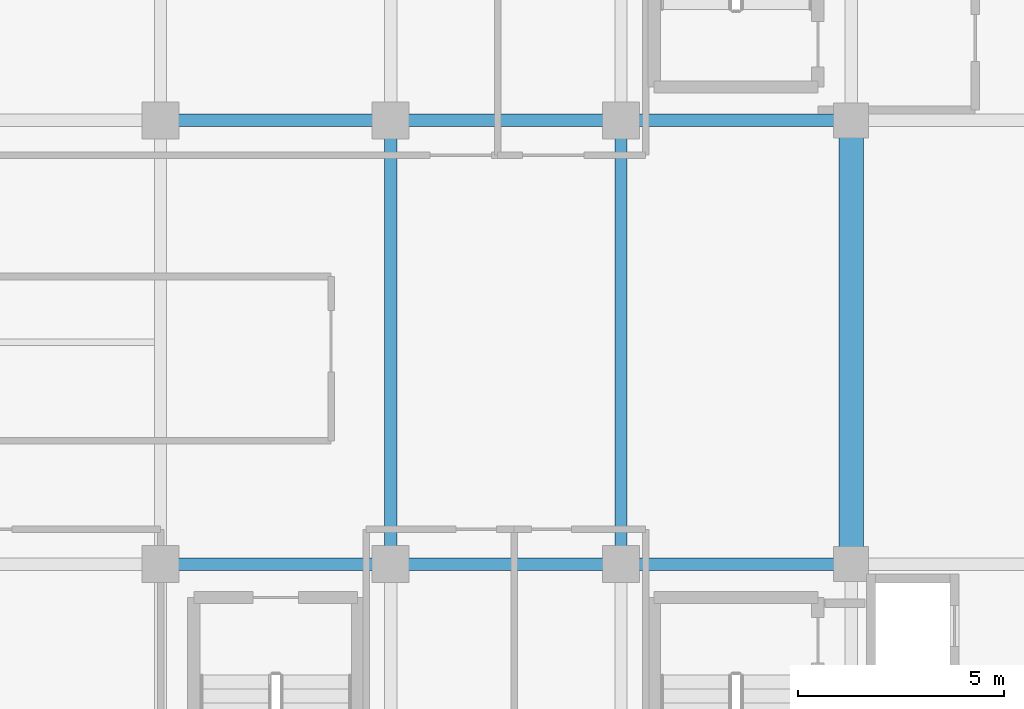
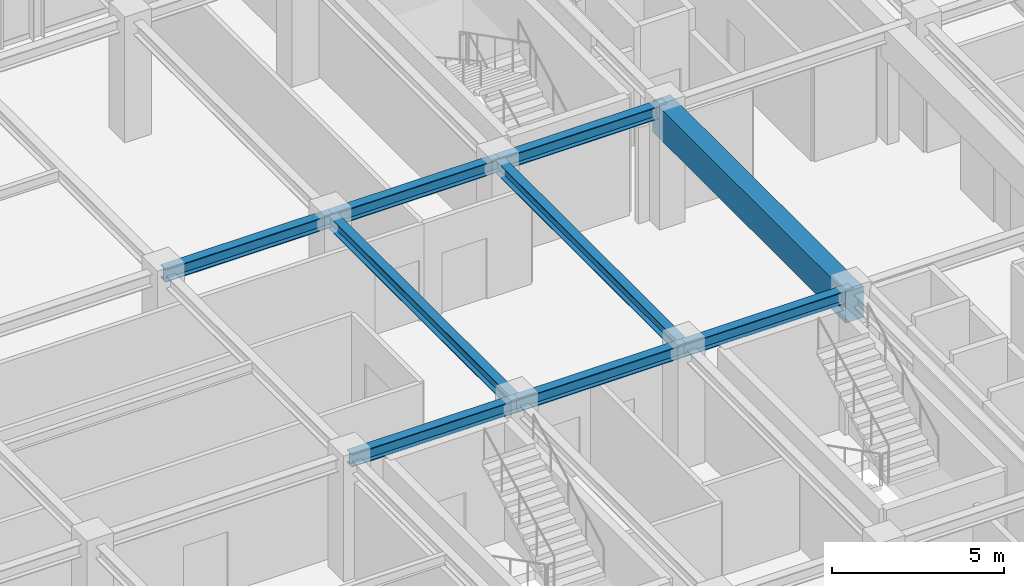
# One storey, part 9 of 26: 9 beams.
"""IFC4 building model written with IfcOpenShell, lengths in metres."""

from ifc_helpers import new_model, si_unit, direction, frame, origin, origin_2d, place, context, subcontext, project, spatial, rectangle, i_section, extrude, source, transform, mapped, material, material_profile, profile_set, type_object, element, save


model = new_model("IFC4")

# Units and contexts
model_context = context("Model", 3, precision=1e-05, world=origin(), true_north=direction((0.0, 1.0)))
body_context = subcontext(model_context, "Body", "Model", "MODEL_VIEW")
ifc_project = project(units=[si_unit("LENGTHUNIT", "METRE"), si_unit("AREAUNIT", "SQUARE_METRE"), si_unit("VOLUMEUNIT", "CUBIC_METRE"), si_unit("PLANEANGLEUNIT", "RADIAN"), si_unit("MASSUNIT", "GRAM", prefix="KILO")], contexts=[model_context])

# Site, building, storey
site_placement = place(None, origin())
site = spatial("IfcSite", under=ifc_project, at=site_placement, CompositionType="ELEMENT")
building_placement = place(site_placement, origin())
building = spatial("IfcBuilding", under=site, at=building_placement, Name="Nahalor Promenade Grand Hotel", CompositionType="ELEMENT")
storey_placement = place(building_placement, frame((0.0, 0.0, 343.050048828125)))
storey = spatial("IfcBuildingStorey", under=building, at=storey_placement, Name="L88", CompositionType="ELEMENT", Elevation=343.050048828125)

# Beams
ifc_material_1 = material(Name="Concrete B-60 (C50/60)", Category="concrete")
ifc_material_profile_1 = material_profile(ifc_material_1, rectangle(XDim=0.6, YDim=1.1, at=origin_2d()), Name="RC 600x1100")
ifc_profile_set_1 = profile_set([ifc_material_profile_1], Name="Concrete B-60 (C50/60)")
beam_type_1 = type_object("IfcBeamType", Name="Beam-Lintel-RC1100", PredefinedType="LINTEL", material=ifc_profile_set_1)
shared_shape_1 = source(origin(), body_context, "Body", "SweptSolid", [
    extrude(rectangle(XDim=0.6, YDim=1.1, at=origin_2d()), origin(), (0.0, 0.0, 1.0), 11.2001953125),
])
beam_placement = place(storey_placement, frame((8.39990234375, -5.60009765625, 3.619873046875), z_axis=(0.0, 1.0, 0.0), x_axis=(-1.0, 0.0, 0.0)))
element("IfcBeam", 1, at=beam_placement, inside=storey, type_object=beam_type_1, Name="BM-L88-LINT-W", PredefinedType="LINTEL", context=body_context, shape_type="MappedRepresentation", body=[
    mapped(shared_shape_1, transform((0.0, 0.0, 0.0), scale=1.0)),
])
ifc_material_2 = material(Name="Steel S355JR", Category="steel")
ifc_material_profile_2 = material_profile(ifc_material_2, i_section(OverallWidth=0.3, OverallDepth=0.45, WebThickness=0.014, FlangeThickness=0.026, at=origin_2d()), Name="HEB 450")
ifc_profile_set_2 = profile_set([ifc_material_profile_2], Name="Steel S355JR")
beam_type_2 = type_object("IfcBeamType", Name="Beam-Girder-HEB450", PredefinedType="BEAM", material=ifc_profile_set_2)
shared_shape_2 = source(origin(), body_context, "Body", "SweptSolid", [
    extrude(i_section(OverallWidth=0.3, OverallDepth=0.45, WebThickness=0.014, FlangeThickness=0.026, at=origin_2d()), origin(), (0.0, 0.0, 1.0), 5.599853515625),
])
for number, where, z_axis, x_axis, name in (
    (2, (-8.39990234375, -5.39990234375, 3.945068359375), (1.0, 0.0, 0.0), (0.0, 1.0, 0.0), "BM-L88-GX-1-2"),
    (3, (2.800048828125, -5.39990234375, 3.945068359375), (1.0, 0.0, 0.0), (0.0, 1.0, 0.0), "BM-L88-GX-1-4"),
    (4, (-8.39990234375, 5.39990234375, 3.945068359375), (1.0, 0.0, 0.0), (0.0, 1.0, 0.0), "BM-L88-GX-2-2"),
    (5, (2.800048828125, 5.39990234375, 3.945068359375), (1.0, 0.0, 0.0), (0.0, 1.0, 0.0), "BM-L88-GX-2-4"),
):
    element("IfcBeam", number, at=place(storey_placement, frame(where, z_axis=z_axis, x_axis=x_axis)), inside=storey, type_object=beam_type_2, Name=name, PredefinedType="BEAM", context=body_context, shape_type="MappedRepresentation", body=[
        mapped(shared_shape_2, transform((0.0, 0.0, 0.0), scale=1.0)),
    ])
shared_shape_3 = source(origin(), body_context, "Body", "SweptSolid", [
    extrude(i_section(OverallWidth=0.3, OverallDepth=0.45, WebThickness=0.014, FlangeThickness=0.026, at=origin_2d()), origin(), (0.0, 0.0, 1.0), 5.60009765625),
])
for number, where, z_axis, x_axis, name in (
    (6, (-2.800048828125, -5.39990234375, 3.945068359375), (1.0, 0.0, 0.0), (0.0, 1.0, 0.0), "BM-L88-GX-1-3"),
    (7, (-2.800048828125, 5.39990234375, 3.945068359375), (1.0, 0.0, 0.0), (0.0, 1.0, 0.0), "BM-L88-GX-2-3"),
):
    element("IfcBeam", number, at=place(storey_placement, frame(where, z_axis=z_axis, x_axis=x_axis)), inside=storey, type_object=beam_type_2, Name=name, PredefinedType="BEAM", context=body_context, shape_type="MappedRepresentation", body=[
        mapped(shared_shape_3, transform((0.0, 0.0, 0.0), scale=1.0)),
    ])
shared_shape_4 = source(origin(), body_context, "Body", "SweptSolid", [
    extrude(i_section(OverallWidth=0.3, OverallDepth=0.45, WebThickness=0.014, FlangeThickness=0.026, at=origin_2d()), origin(), (0.0, 0.0, 1.0), 10.7998046875),
])
for number, where, z_axis, x_axis, name in (
    (8, (-2.800048828125, -5.39990234375, 3.945068359375), (0.0, 1.0, 0.0), (-1.0, 0.0, 0.0), "BM-L88-GY-2-2"),
    (9, (2.800048828125, -5.39990234375, 3.945068359375), (0.0, 1.0, 0.0), (-1.0, 0.0, 0.0), "BM-L88-GY-3-2"),
):
    element("IfcBeam", number, at=place(storey_placement, frame(where, z_axis=z_axis, x_axis=x_axis)), inside=storey, type_object=beam_type_2, Name=name, PredefinedType="BEAM", context=body_context, shape_type="MappedRepresentation", body=[
        mapped(shared_shape_4, transform((0.0, 0.0, 0.0), scale=1.0)),
    ])

save(model, "model.ifc")
